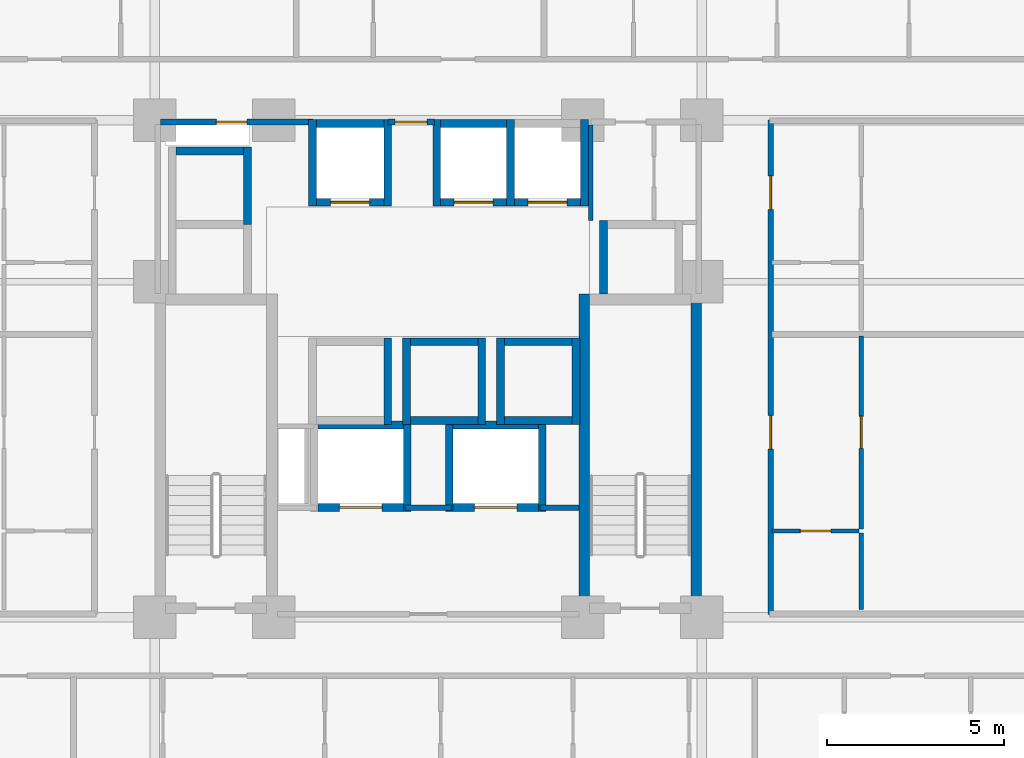
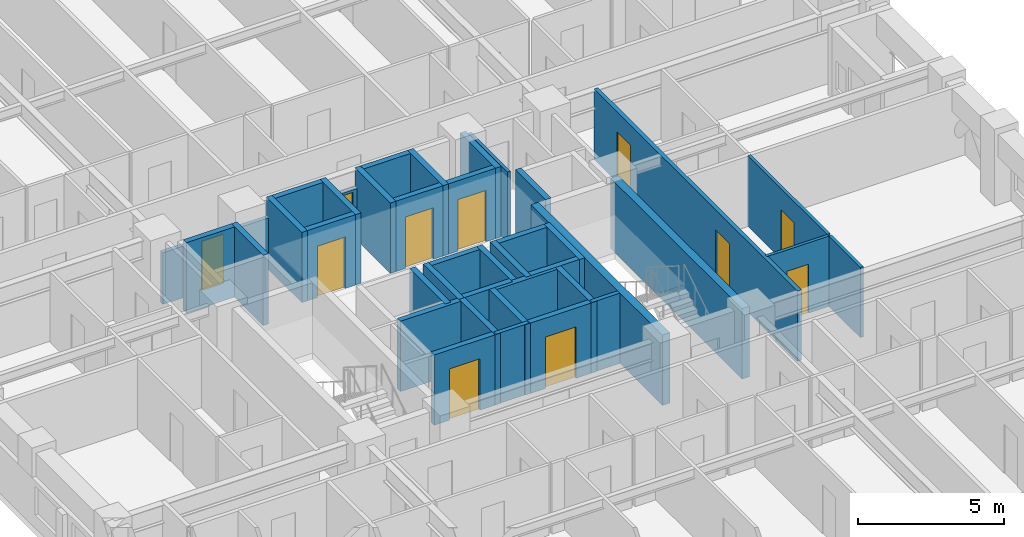
# One storey, part 5 of 13: 40 walls, 11 doors, 11 openings.
"""IFC4 building model written with IfcOpenShell, lengths in metres."""

from ifc_helpers import new_model, si_unit, derived_unit, direction, frame, frame_2d, origin, place, context, subcontext, project, spatial, rectangle, extrude, material, layer, layer_set, type_object, element, fill, save


model = new_model("IFC4")

# Units and contexts
model_context = context("Model", 3, precision=1e-05, world=origin(), true_north=direction((0.0, 1.0)))
body_context = subcontext(model_context, "Body", "Model", "MODEL_VIEW")
ifc_project = project(units=[si_unit("LENGTHUNIT", "METRE"), si_unit("AREAUNIT", "SQUARE_METRE"), si_unit("VOLUMEUNIT", "CUBIC_METRE"), si_unit("PLANEANGLEUNIT", "RADIAN"), si_unit("MASSUNIT", "GRAM", prefix="KILO"), derived_unit("THERMALTRANSMITTANCEUNIT", [(si_unit("MASSUNIT", "GRAM", prefix="KILO"), 1), (si_unit("TIMEUNIT", "SECOND"), -3), (si_unit("THERMODYNAMICTEMPERATUREUNIT", "KELVIN"), -1)])], contexts=[model_context])

# Site, building, storey
site_placement = place(None, origin())
site = spatial("IfcSite", under=ifc_project, at=site_placement, CompositionType="ELEMENT")
building_placement = place(site_placement, origin())
building = spatial("IfcBuilding", under=site, at=building_placement, Name="Korrvale Station Residences", CompositionType="ELEMENT")
storey_placement = place(building_placement, frame((0.0, 0.0, 35.39990234375)))
storey = spatial("IfcBuildingStorey", under=building, at=storey_placement, Name="L08", CompositionType="ELEMENT", Elevation=35.39990234375)

# Walls
ifc_material_1 = material(Name="Concrete C70/85", Category="concrete")
ifc_layer_1 = layer(ifc_material_1, 0.300048828125, Name="Concrete C70/85")
ifc_layer_set_1 = layer_set([ifc_layer_1], Name="Concrete C70/85")
wall_type_1 = type_object("IfcWallType", Name="WAL-CORE-300-C70", PredefinedType="SHEAR", material=ifc_layer_set_1)
for number, where, z_axis, x_axis, name in (
    (1, (29.89990234375, 15.10009765625, 0.0), (0.0, 0.0, 1.0), (0.0, 1.0, 0.0), "L08 ST-2 Core Shear Wall West"),
    (2, (33.050048828125, 15.10009765625, 0.0), (0.0, 0.0, 1.0), (0.0, 1.0, 0.0), "L08 ST-2 Core Shear Wall East"),
):
    element("IfcWall", number, at=place(storey_placement, frame(where, z_axis=z_axis, x_axis=x_axis)), inside=storey, type_object=wall_type_1, Name=name, PredefinedType="SHEAR", context=body_context, shape_type="SweptSolid", body=[
        extrude(rectangle(XDim=9.0, YDim=0.300048828125, at=frame_2d((4.5, 0.0))), origin(), (0.0, 0.0, 1.0), 2.940185546875),
    ])
ifc_material_2 = material(Name="Acoustic steel-stud gypsum board partition", Category="steel")
ifc_layer_2 = layer(ifc_material_2, 0.1201171875, Name="Acoustic steel-stud gypsum board partition")
ifc_layer_set_2 = layer_set([ifc_layer_2], Name="Acoustic steel-stud gypsum board partition")
wall_type_2 = type_object("IfcWallType", Name="WAL-PART-125", PredefinedType="PARTITIONING", material=ifc_layer_set_2)
wall_1_placement = place(storey_placement, frame((30.080078125, 26.179931640625, 0.0), z_axis=(0.0, 0.0, 1.0), x_axis=(0.0, 1.0, 0.0)))
element("IfcWall", 3, at=wall_1_placement, inside=storey, type_object=wall_type_2, Name="L08 Core Partition CW-CS-W", PredefinedType="PARTITIONING", context=body_context, shape_type="SweptSolid", body=[
    extrude(rectangle(XDim=2.68017578125, YDim=0.1201171875, at=frame_2d((1.340087890625, 0.0))), origin(), (0.0, 0.0, 1.0), 2.940185546875),
])

# Wall, opening, door
wall_2_placement = place(storey_placement, frame((35.18994140625, 17.428955078125, 0.0), z_axis=(0.0, 0.0, 1.0), x_axis=(1.0, 0.0, 0.0)))
wall_2 = element("IfcWall", 4, at=wall_2_placement, inside=storey, type_object=wall_type_2, Name="L08 Suite Partition U09-H01", PredefinedType="PARTITIONING", context=body_context, shape_type="SweptSolid", body=[
    extrude(rectangle(XDim=2.449951171875, YDim=0.1201171875, at=frame_2d((1.22509765625, 0.0))), origin(), (0.0, 0.0, 1.0), 2.940185546875),
])
opening_1_placement = place(wall_2_placement, frame((0.794921875, 0.0, 0.0)))
opening_1 = element("IfcOpeningElement", 5, at=opening_1_placement, cuts=wall_2, Name="Opening DB-860", PredefinedType="OPENING", context=body_context, shape_type="SweptSolid", body=[
    extrude(rectangle(XDim=0.860107421875, YDim=2.050048828125, at=frame_2d((0.43017578125, 1.02490234375))), frame((0.0, 0.070068359375, 0.0), z_axis=(0.0, -1.0, 0.0), x_axis=(1.0, 0.0, 0.0)), (0.0, 0.0, 1.0), 0.14013671875),
])
ifc_material_3 = material(Name="Moisture-resistant solid-core bathroom door", Category="timber")
door_type_1 = type_object("IfcDoorType", Name="DR-BATH-860", OperationType="NOTDEFINED", PredefinedType="DOOR", material=ifc_material_3)
door_1_placement = place(opening_1_placement, origin())
door_1 = element("IfcDoor", 6, at=door_1_placement, inside=storey, type_object=door_type_1, Name="L08 Apartment 1BR L08-U09 Bathroom Door", OperationType="SINGLE_SWING_RIGHT", OverallHeight=2.050048828125, OverallWidth=0.860107421875, PredefinedType="DOOR", context=body_context, shape_type="SweptSolid", body=[
    extrude(rectangle(XDim=0.860107421875, YDim=2.050048828125, at=frame_2d((0.43017578125, 1.02490234375))), frame((0.0, 0.02490234375, 0.0), z_axis=(0.0, -1.0, 0.0), x_axis=(1.0, 0.0, 0.0)), (0.0, 0.0, 1.0), 0.050048828125),
])
fill(opening_1, door_1)

# Wall
wall_3_placement = place(storey_placement, frame((37.699951171875, 15.2099609375, 0.0), z_axis=(0.0, 0.0, 1.0), x_axis=(0.0, 1.0, 0.0)))
element("IfcWall", 7, at=wall_3_placement, inside=storey, type_object=wall_type_2, Name="L08 Suite Partition U09-V02", PredefinedType="PARTITIONING", context=body_context, shape_type="SweptSolid", body=[
    extrude(rectangle(XDim=2.158935546875, YDim=0.1201171875, at=frame_2d((1.07958984375, 0.0))), origin(), (0.0, 0.0, 1.0), 2.940185546875),
])

# Wall, opening, door
wall_4_placement = place(storey_placement, frame((37.699951171875, 17.489013671875, 0.0), z_axis=(0.0, 0.0, 1.0), x_axis=(0.0, 1.0, 0.0)))
wall_4 = element("IfcWall", 8, at=wall_4_placement, inside=storey, type_object=wall_type_2, Name="L08 Suite Partition U09-V12", PredefinedType="PARTITIONING", context=body_context, shape_type="SweptSolid", body=[
    extrude(rectangle(XDim=5.43310546875, YDim=0.1201171875, at=frame_2d((2.716552734375, 0.0))), origin(), (0.0, 0.0, 1.0), 2.940185546875),
])
opening_2_placement = place(wall_4_placement, frame((2.26611328125, 0.0, 0.0)))
opening_2 = element("IfcOpeningElement", 9, at=opening_2_placement, cuts=wall_4, Name="Opening DI-900", PredefinedType="OPENING", context=body_context, shape_type="SweptSolid", body=[
    extrude(rectangle(XDim=0.89990234375, YDim=2.050048828125, at=frame_2d((0.449951171875, 1.02490234375))), frame((0.0, 0.070068359375, 0.0), z_axis=(0.0, -1.0, 0.0), x_axis=(1.0, 0.0, 0.0)), (0.0, 0.0, 1.0), 0.14013671875),
])
ifc_material_4 = material(Name="Painted solid-core timber interior room door", Category="wood")
door_type_2 = type_object("IfcDoorType", Name="DR-INT-900", OperationType="NOTDEFINED", PredefinedType="DOOR", material=ifc_material_4)
door_2_placement = place(opening_2_placement, origin())
door_2 = element("IfcDoor", 10, at=door_2_placement, inside=storey, type_object=door_type_2, Name="L08 Apartment 1BR L08-U09 Kitchen Door", OperationType="SINGLE_SWING_LEFT", OverallHeight=2.050048828125, OverallWidth=0.89990234375, PredefinedType="DOOR", context=body_context, shape_type="SweptSolid", body=[
    extrude(rectangle(XDim=0.89990234375, YDim=2.050048828125, at=frame_2d((0.449951171875, 1.02490234375))), frame((0.0, 0.02490234375, 0.0), z_axis=(0.0, -1.0, 0.0), x_axis=(1.0, 0.0, 0.0)), (0.0, 0.0, 1.0), 0.050048828125),
])
fill(opening_2, door_2)

# Walls
ifc_material_5 = material(Name="Fire-rated twin-stud gypsum and mineral wool shaftwall assembly", Category="gypsum")
ifc_layer_3 = layer(ifc_material_5, 0.159912109375, Name="Fire-rated twin-stud gypsum and mineral wool shaftwall assembly")
ifc_layer_set_3 = layer_set([ifc_layer_3], Name="Fire-rated twin-stud gypsum and mineral wool shaftwall assembly")
wall_type_3 = type_object("IfcWallType", Name="WAL-PART-200", PredefinedType="PARTITIONING", material=ifc_layer_set_3)
wall_5_placement = place(storey_placement, frame((24.85009765625, 18.080078125, 0.0), z_axis=(0.0, 0.0, 1.0), x_axis=(1.0, 0.0, 0.0)))
element("IfcWall", 11, at=wall_5_placement, inside=storey, type_object=wall_type_3, Name="L08 Core Partition CW-FFL-N2", PredefinedType="PARTITIONING", context=body_context, shape_type="SweptSolid", body=[
    extrude(rectangle(XDim=1.2998046875, YDim=0.159912109375, at=frame_2d((0.64990234375, 0.0))), origin(), (0.0, 0.0, 1.0), 2.940185546875),
])
wall_6_placement = place(storey_placement, frame((28.64990234375, 18.080078125, 0.0), z_axis=(0.0, 0.0, 1.0), x_axis=(1.0, 0.0, 0.0)))
element("IfcWall", 12, at=wall_6_placement, inside=storey, type_object=wall_type_3, Name="L08 Core Partition CW-FFL-N3", PredefinedType="PARTITIONING", context=body_context, shape_type="SweptSolid", body=[
    extrude(rectangle(XDim=1.10009765625, YDim=0.159912109375, at=frame_2d((0.550048828125, 0.0))), origin(), (0.0, 0.0, 1.0), 2.940185546875),
])

# Wall, opening, door
wall_7_placement = place(storey_placement, frame((24.360107421875, 28.949951171875, 0.0), z_axis=(0.0, 0.0, 1.0), x_axis=(1.0, 0.0, 0.0)))
wall_7 = element("IfcWall", 13, at=wall_7_placement, inside=storey, type_object=wall_type_3, Name="L08 Core Partition CW-LLOB-N", PredefinedType="PARTITIONING", context=body_context, shape_type="SweptSolid", body=[
    extrude(rectangle(XDim=1.31982421875, YDim=0.159912109375, at=frame_2d((0.659912109375, 0.0))), origin(), (0.0, 0.0, 1.0), 2.155029296875),
])
opening_3_placement = place(wall_7_placement, frame((0.2099609375, 0.0, 0.0)))
opening_3 = element("IfcOpeningElement", 14, at=opening_3_placement, cuts=wall_7, Name="Opening DI-900", PredefinedType="OPENING", context=body_context, shape_type="SweptSolid", body=[
    extrude(rectangle(XDim=0.89990234375, YDim=2.050048828125, at=frame_2d((0.449951171875, 1.02490234375))), frame((0.0, 0.08984375, 0.0), z_axis=(0.0, -1.0, 0.0), x_axis=(1.0, 0.0, 0.0)), (0.0, 0.0, 1.0), 0.179931640625),
])
door_3_placement = place(opening_3_placement, origin())
door_3 = element("IfcDoor", 15, at=door_3_placement, inside=storey, type_object=door_type_2, Name="L08 Central Hallway North Passage Door", OperationType="SINGLE_SWING_RIGHT", OverallHeight=2.050048828125, OverallWidth=0.89990234375, PredefinedType="DOOR", context=body_context, shape_type="SweptSolid", body=[
    extrude(rectangle(XDim=0.89990234375, YDim=2.050048828125, at=frame_2d((0.449951171875, 1.02490234375))), frame((0.0, 0.02490234375, 0.0), z_axis=(0.0, -1.0, 0.0), x_axis=(1.0, 0.0, 0.0)), (0.0, 0.0, 1.0), 0.050048828125),
])
fill(opening_3, door_3)

wall_8_placement = place(storey_placement, frame((17.9599609375, 28.949951171875, 0.0), z_axis=(0.0, 0.0, 1.0), x_axis=(1.0, 0.0, 0.0)))
wall_8 = element("IfcWall", 16, at=wall_8_placement, inside=storey, type_object=wall_type_3, Name="L08 Core Partition CW-NW", PredefinedType="PARTITIONING", context=body_context, shape_type="SweptSolid", body=[
    extrude(rectangle(XDim=4.2900390625, YDim=0.159912109375, at=frame_2d((2.14501953125, 0.0))), origin(), (0.0, 0.0, 1.0), 2.155029296875),
])
opening_4_placement = place(wall_8_placement, frame((1.570068359375, 0.0, 0.0)))
opening_4 = element("IfcOpeningElement", 17, at=opening_4_placement, cuts=wall_8, Name="Opening DB-860", PredefinedType="OPENING", context=body_context, shape_type="SweptSolid", body=[
    extrude(rectangle(XDim=0.860107421875, YDim=2.050048828125, at=frame_2d((0.43017578125, 1.02490234375))), frame((0.0, 0.08984375, 0.0), z_axis=(0.0, -1.0, 0.0), x_axis=(1.0, 0.0, 0.0)), (0.0, 0.0, 1.0), 0.179931640625),
])
door_4_placement = place(opening_4_placement, origin())
door_4 = element("IfcDoor", 18, at=door_4_placement, inside=storey, type_object=door_type_1, Name="L08 Electrical Riser Access Door", OperationType="SINGLE_SWING_LEFT", OverallHeight=2.050048828125, OverallWidth=0.860107421875, PredefinedType="DOOR", context=body_context, shape_type="SweptSolid", body=[
    extrude(rectangle(XDim=0.860107421875, YDim=2.050048828125, at=frame_2d((0.43017578125, 1.02490234375))), frame((0.0, 0.02490234375, 0.0), z_axis=(0.0, -1.0, 0.0), x_axis=(1.0, 0.0, 0.0)), (0.0, 0.0, 1.0), 0.050048828125),
])
fill(opening_4, door_4)

# Wall, openings, doors
wall_9_placement = place(storey_placement, frame((35.14990234375, 15.070068359375, 0.0), z_axis=(0.0, 0.0, 1.0), x_axis=(0.0, 1.0, 0.0)))
wall_9 = element("IfcWall", 19, at=wall_9_placement, inside=storey, type_object=wall_type_3, Name="L08 Rated Corridor Wall E", PredefinedType="PARTITIONING", context=body_context, shape_type="SweptSolid", body=[
    extrude(rectangle(XDim=13.929931640625, YDim=0.159912109375, at=frame_2d((6.96484375, 0.0))), origin(), (0.0, 0.0, 1.0), 2.940185546875),
])
opening_5_placement = place(wall_9_placement, frame((4.660888671875, 0.0, 0.0)))
opening_5 = element("IfcOpeningElement", 20, at=opening_5_placement, cuts=wall_9, Name="Opening UD-950", PredefinedType="OPENING", context=body_context, shape_type="SweptSolid", body=[
    extrude(rectangle(XDim=0.949951171875, YDim=2.10009765625, at=frame_2d((0.47509765625, 1.050048828125))), frame((0.0, 0.08984375, 0.0), z_axis=(0.0, -1.0, 0.0), x_axis=(1.0, 0.0, 0.0)), (0.0, 0.0, 1.0), 0.179931640625),
])
opening_6_placement = place(wall_9_placement, frame((11.410888671875, 0.0, 0.0)))
opening_6 = element("IfcOpeningElement", 21, at=opening_6_placement, cuts=wall_9, Name="Opening UD-950", PredefinedType="OPENING", context=body_context, shape_type="SweptSolid", body=[
    extrude(rectangle(XDim=0.949951171875, YDim=2.10009765625, at=frame_2d((0.47509765625, 1.050048828125))), frame((0.0, 0.08984375, 0.0), z_axis=(0.0, -1.0, 0.0), x_axis=(1.0, 0.0, 0.0)), (0.0, 0.0, 1.0), 0.179931640625),
])
ifc_material_6 = material(Name="Solid-core acoustic oak apartment entrance door", Category="timber")
door_type_3 = type_object("IfcDoorType", Name="DR-UNIT-950", OperationType="NOTDEFINED", PredefinedType="DOOR", material=ifc_material_6)
door_5_placement = place(opening_5_placement, origin())
door_5 = element("IfcDoor", 22, at=door_5_placement, inside=storey, type_object=door_type_3, Name="L08 Apartment L08-U09 Entrance Door", OperationType="SINGLE_SWING_RIGHT", OverallHeight=2.10009765625, OverallWidth=0.949951171875, PredefinedType="DOOR", context=body_context, shape_type="SweptSolid", body=[
    extrude(rectangle(XDim=0.949951171875, YDim=2.10009765625, at=frame_2d((0.47509765625, 1.050048828125))), frame((0.0, 0.02490234375, 0.0), z_axis=(0.0, -1.0, 0.0), x_axis=(1.0, 0.0, 0.0)), (0.0, 0.0, 1.0), 0.050048828125),
])
fill(opening_5, door_5)
door_6_placement = place(opening_6_placement, origin())
door_6 = element("IfcDoor", 23, at=door_6_placement, inside=storey, type_object=door_type_3, Name="L08 Apartment L08-U10 Entrance Door", OperationType="SINGLE_SWING_LEFT", OverallHeight=2.10009765625, OverallWidth=0.949951171875, PredefinedType="DOOR", context=body_context, shape_type="SweptSolid", body=[
    extrude(rectangle(XDim=0.949951171875, YDim=2.10009765625, at=frame_2d((0.47509765625, 1.050048828125))), frame((0.0, 0.02490234375, 0.0), z_axis=(0.0, -1.0, 0.0), x_axis=(1.0, 0.0, 0.0)), (0.0, 0.0, 1.0), 0.050048828125),
])
fill(opening_6, door_6)

# Wall, opening, door
ifc_layer_4 = layer(ifc_material_1, 0.219970703125, Name="Concrete C70/85")
ifc_layer_set_4 = layer_set([ifc_layer_4], Name="Concrete C70/85")
wall_type_4 = type_object("IfcWallType", Name="WAL-SHAFT-220-C70", PredefinedType="SHEAR", material=ifc_layer_set_4)
wall_10_placement = place(storey_placement, frame((22.35009765625, 26.68994140625, 0.0), z_axis=(0.0, 0.0, 1.0), x_axis=(1.0, 0.0, 0.0)))
wall_10 = element("IfcWall", 24, at=wall_10_placement, inside=storey, type_object=wall_type_4, Name="L08 Elevator PL-1 Hoistway Wall South", PredefinedType="SHEAR", context=body_context, shape_type="SweptSolid", body=[
    extrude(rectangle(XDim=1.89990234375, YDim=0.219970703125, at=frame_2d((0.949951171875, 0.0))), origin(), (0.0, 0.0, 1.0), 2.940185546875),
])
opening_7_placement = place(wall_10_placement, frame((0.39990234375, 0.0, 0.0)))
opening_7 = element("IfcOpeningElement", 25, at=opening_7_placement, cuts=wall_10, Name="Opening LD-1100", PredefinedType="OPENING", context=body_context, shape_type="SweptSolid", body=[
    extrude(rectangle(XDim=1.10009765625, YDim=2.14990234375, at=frame_2d((0.550048828125, 1.074951171875))), frame((0.0, 0.1201171875, 0.0), z_axis=(0.0, -1.0, 0.0), x_axis=(1.0, 0.0, 0.0)), (0.0, 0.0, 1.0), 0.239990234375),
])
ifc_material_7 = material(Name="Brushed stainless-steel elevator landing sliding door", Category="steel")
door_type_4 = type_object("IfcDoorType", Name="DR-LIFT-1100", OperationType="SLIDING_TO_LEFT", PredefinedType="DOOR", material=ifc_material_7)
door_7_placement = place(opening_7_placement, origin())
door_7 = element("IfcDoor", 26, at=door_7_placement, inside=storey, type_object=door_type_4, Name="L08 Elevator PL-1 Sliding Landing Door", OperationType="SLIDING_TO_LEFT", OverallHeight=2.14990234375, OverallWidth=1.10009765625, PredefinedType="DOOR", context=body_context, shape_type="SweptSolid", body=[
    extrude(rectangle(XDim=1.10009765625, YDim=2.14990234375, at=frame_2d((0.550048828125, 1.074951171875))), frame((0.0, 0.02490234375, 0.0), z_axis=(0.0, -1.0, 0.0), x_axis=(1.0, 0.0, 0.0)), (0.0, 0.0, 1.0), 0.050048828125),
])
fill(opening_7, door_7)

# Walls
wall_11_placement = place(storey_placement, frame((22.35009765625, 28.909912109375, 0.0), z_axis=(0.0, 0.0, 1.0), x_axis=(1.0, 0.0, 0.0)))
element("IfcWall", 27, at=wall_11_placement, inside=storey, type_object=wall_type_4, Name="L08 Elevator PL-1 Hoistway Wall North", PredefinedType="SHEAR", context=body_context, shape_type="SweptSolid", body=[
    extrude(rectangle(XDim=1.89990234375, YDim=0.219970703125, at=frame_2d((0.949951171875, 0.0))), origin(), (0.0, 0.0, 1.0), 2.940185546875),
])
for number, where, z_axis, x_axis, name in (
    (28, (22.239990234375, 26.580078125, 0.0), (0.0, 0.0, 1.0), (0.0, 1.0, 0.0), "L08 Elevator PL-1 Hoistway Wall West"),
    (29, (24.360107421875, 26.580078125, 0.0), (0.0, 0.0, 1.0), (0.0, 1.0, 0.0), "L08 Elevator PL-1 Hoistway Wall East"),
):
    element("IfcWall", number, at=place(storey_placement, frame(where, z_axis=z_axis, x_axis=x_axis)), inside=storey, type_object=wall_type_4, Name=name, PredefinedType="SHEAR", context=body_context, shape_type="SweptSolid", body=[
        extrude(rectangle(XDim=2.43994140625, YDim=0.219970703125, at=frame_2d((1.219970703125, 0.0))), origin(), (0.0, 0.0, 1.0), 2.940185546875),
    ])

# Wall, opening, door
wall_12_placement = place(storey_placement, frame((25.85009765625, 26.68994140625, 0.0), z_axis=(0.0, 0.0, 1.0), x_axis=(1.0, 0.0, 0.0)))
wall_12 = element("IfcWall", 30, at=wall_12_placement, inside=storey, type_object=wall_type_4, Name="L08 Elevator PL-2 Hoistway Wall South", PredefinedType="SHEAR", context=body_context, shape_type="SweptSolid", body=[
    extrude(rectangle(XDim=1.85986328125, YDim=0.219970703125, at=frame_2d((0.929931640625, 0.0))), origin(), (0.0, 0.0, 1.0), 2.940185546875),
])
opening_8_placement = place(wall_12_placement, frame((0.3798828125, 0.0, 0.0)))
opening_8 = element("IfcOpeningElement", 31, at=opening_8_placement, cuts=wall_12, Name="Opening LD-1100", PredefinedType="OPENING", context=body_context, shape_type="SweptSolid", body=[
    extrude(rectangle(XDim=1.10009765625, YDim=2.14990234375, at=frame_2d((0.550048828125, 1.074951171875))), frame((0.0, 0.1201171875, 0.0), z_axis=(0.0, -1.0, 0.0), x_axis=(1.0, 0.0, 0.0)), (0.0, 0.0, 1.0), 0.239990234375),
])
door_8_placement = place(opening_8_placement, origin())
door_8 = element("IfcDoor", 32, at=door_8_placement, inside=storey, type_object=door_type_4, Name="L08 Elevator PL-2 Sliding Landing Door", OperationType="SLIDING_TO_LEFT", OverallHeight=2.14990234375, OverallWidth=1.10009765625, PredefinedType="DOOR", context=body_context, shape_type="SweptSolid", body=[
    extrude(rectangle(XDim=1.10009765625, YDim=2.14990234375, at=frame_2d((0.550048828125, 1.074951171875))), frame((0.0, 0.02490234375, 0.0), z_axis=(0.0, -1.0, 0.0), x_axis=(1.0, 0.0, 0.0)), (0.0, 0.0, 1.0), 0.050048828125),
])
fill(opening_8, door_8)

# Walls
wall_13_placement = place(storey_placement, frame((25.85009765625, 28.909912109375, 0.0), z_axis=(0.0, 0.0, 1.0), x_axis=(1.0, 0.0, 0.0)))
element("IfcWall", 33, at=wall_13_placement, inside=storey, type_object=wall_type_4, Name="L08 Elevator PL-2 Hoistway Wall North", PredefinedType="SHEAR", context=body_context, shape_type="SweptSolid", body=[
    extrude(rectangle(XDim=1.85986328125, YDim=0.219970703125, at=frame_2d((0.929931640625, 0.0))), origin(), (0.0, 0.0, 1.0), 2.940185546875),
])
for number, where, z_axis, x_axis, name in (
    (34, (25.739990234375, 26.580078125, 0.0), (0.0, 0.0, 1.0), (0.0, 1.0, 0.0), "L08 Elevator PL-2 Hoistway Wall West"),
    (35, (27.820068359375, 26.580078125, 0.0), (0.0, 0.0, 1.0), (0.0, 1.0, 0.0), "L08 Elevator PL-2 Hoistway Wall East"),
):
    element("IfcWall", number, at=place(storey_placement, frame(where, z_axis=z_axis, x_axis=x_axis)), inside=storey, type_object=wall_type_4, Name=name, PredefinedType="SHEAR", context=body_context, shape_type="SweptSolid", body=[
        extrude(rectangle(XDim=2.43994140625, YDim=0.219970703125, at=frame_2d((1.219970703125, 0.0))), origin(), (0.0, 0.0, 1.0), 2.940185546875),
    ])

# Wall, opening, door
wall_14_placement = place(storey_placement, frame((27.929931640625, 26.68994140625, 0.0), z_axis=(0.0, 0.0, 1.0), x_axis=(1.0, 0.0, 0.0)))
wall_14 = element("IfcWall", 36, at=wall_14_placement, inside=storey, type_object=wall_type_4, Name="L08 Elevator PL-3 Hoistway Wall South", PredefinedType="SHEAR", context=body_context, shape_type="SweptSolid", body=[
    extrude(rectangle(XDim=1.860107421875, YDim=0.219970703125, at=frame_2d((0.93017578125, 0.0))), origin(), (0.0, 0.0, 1.0), 2.940185546875),
])
opening_9_placement = place(wall_14_placement, frame((0.3798828125, 0.0, 0.0)))
opening_9 = element("IfcOpeningElement", 37, at=opening_9_placement, cuts=wall_14, Name="Opening LD-1100", PredefinedType="OPENING", context=body_context, shape_type="SweptSolid", body=[
    extrude(rectangle(XDim=1.10009765625, YDim=2.14990234375, at=frame_2d((0.550048828125, 1.074951171875))), frame((0.0, 0.1201171875, 0.0), z_axis=(0.0, -1.0, 0.0), x_axis=(1.0, 0.0, 0.0)), (0.0, 0.0, 1.0), 0.239990234375),
])
door_9_placement = place(opening_9_placement, origin())
door_9 = element("IfcDoor", 38, at=door_9_placement, inside=storey, type_object=door_type_4, Name="L08 Elevator PL-3 Sliding Landing Door", OperationType="SLIDING_TO_LEFT", OverallHeight=2.14990234375, OverallWidth=1.10009765625, PredefinedType="DOOR", context=body_context, shape_type="SweptSolid", body=[
    extrude(rectangle(XDim=1.10009765625, YDim=2.14990234375, at=frame_2d((0.550048828125, 1.074951171875))), frame((0.0, 0.02490234375, 0.0), z_axis=(0.0, -1.0, 0.0), x_axis=(1.0, 0.0, 0.0)), (0.0, 0.0, 1.0), 0.050048828125),
])
fill(opening_9, door_9)

# Walls
wall_15_placement = place(storey_placement, frame((29.89990234375, 26.580078125, 0.0), z_axis=(0.0, 0.0, 1.0), x_axis=(0.0, 1.0, 0.0)))
element("IfcWall", 39, at=wall_15_placement, inside=storey, type_object=wall_type_4, Name="L08 Elevator PL-3 Hoistway Wall East", PredefinedType="SHEAR", context=body_context, shape_type="SweptSolid", body=[
    extrude(rectangle(XDim=2.43994140625, YDim=0.219970703125, at=frame_2d((1.219970703125, 0.0))), origin(), (0.0, 0.0, 1.0), 2.940185546875),
])
wall_16_placement = place(storey_placement, frame((24.360107421875, 20.429931640625, 0.0), z_axis=(0.0, 0.0, 1.0), x_axis=(0.0, 1.0, 0.0)))
element("IfcWall", 40, at=wall_16_placement, inside=storey, type_object=wall_type_4, Name="L08 Elevator PM-1 Hoistway Wall East", PredefinedType="SHEAR", context=body_context, shape_type="SweptSolid", body=[
    extrude(rectangle(XDim=2.440185546875, YDim=0.219970703125, at=frame_2d((1.22021484375, 0.0))), origin(), (0.0, 0.0, 1.0), 2.940185546875),
])
for number, where, z_axis, x_axis, name in (
    (41, (25.0, 20.5400390625, 0.0), (0.0, 0.0, 1.0), (1.0, 0.0, 0.0), "L08 Elevator PM-2 Hoistway Wall South"),
    (42, (25.0, 22.760009765625, 0.0), (0.0, 0.0, 1.0), (1.0, 0.0, 0.0), "L08 Elevator PM-2 Hoistway Wall North"),
):
    element("IfcWall", number, at=place(storey_placement, frame(where, z_axis=z_axis, x_axis=x_axis)), inside=storey, type_object=wall_type_4, Name=name, PredefinedType="SHEAR", context=body_context, shape_type="SweptSolid", body=[
        extrude(rectangle(XDim=1.89990234375, YDim=0.219970703125, at=frame_2d((0.949951171875, 0.0))), origin(), (0.0, 0.0, 1.0), 2.940185546875),
    ])
for number, where, z_axis, x_axis, name in (
    (43, (24.889892578125, 20.429931640625, 0.0), (0.0, 0.0, 1.0), (0.0, 1.0, 0.0), "L08 Elevator PM-2 Hoistway Wall West"),
    (44, (27.010009765625, 20.429931640625, 0.0), (0.0, 0.0, 1.0), (0.0, 1.0, 0.0), "L08 Elevator PM-2 Hoistway Wall East"),
):
    element("IfcWall", number, at=place(storey_placement, frame(where, z_axis=z_axis, x_axis=x_axis)), inside=storey, type_object=wall_type_4, Name=name, PredefinedType="SHEAR", context=body_context, shape_type="SweptSolid", body=[
        extrude(rectangle(XDim=2.440185546875, YDim=0.219970703125, at=frame_2d((1.22021484375, 0.0))), origin(), (0.0, 0.0, 1.0), 2.940185546875),
    ])
for number, where, z_axis, x_axis, name in (
    (45, (27.64990234375, 20.5400390625, 0.0), (0.0, 0.0, 1.0), (1.0, 0.0, 0.0), "L08 Elevator PM-3 Hoistway Wall South"),
    (46, (27.64990234375, 22.760009765625, 0.0), (0.0, 0.0, 1.0), (1.0, 0.0, 0.0), "L08 Elevator PM-3 Hoistway Wall North"),
):
    element("IfcWall", number, at=place(storey_placement, frame(where, z_axis=z_axis, x_axis=x_axis)), inside=storey, type_object=wall_type_4, Name=name, PredefinedType="SHEAR", context=body_context, shape_type="SweptSolid", body=[
        extrude(rectangle(XDim=1.900146484375, YDim=0.219970703125, at=frame_2d((0.9501953125, 0.0))), origin(), (0.0, 0.0, 1.0), 2.940185546875),
    ])
for number, where, z_axis, x_axis, name in (
    (47, (27.5400390625, 20.429931640625, 0.0), (0.0, 0.0, 1.0), (0.0, 1.0, 0.0), "L08 Elevator PM-3 Hoistway Wall West"),
    (48, (29.659912109375, 20.429931640625, 0.0), (0.0, 0.0, 1.0), (0.0, 1.0, 0.0), "L08 Elevator PM-3 Hoistway Wall East"),
):
    element("IfcWall", number, at=place(storey_placement, frame(where, z_axis=z_axis, x_axis=x_axis)), inside=storey, type_object=wall_type_4, Name=name, PredefinedType="SHEAR", context=body_context, shape_type="SweptSolid", body=[
        extrude(rectangle(XDim=2.440185546875, YDim=0.219970703125, at=frame_2d((1.22021484375, 0.0))), origin(), (0.0, 0.0, 1.0), 2.940185546875),
    ])
wall_17_placement = place(storey_placement, frame((18.39990234375, 28.1298828125, 0.0), z_axis=(0.0, 0.0, 1.0), x_axis=(1.0, 0.0, 0.0)))
element("IfcWall", 49, at=wall_17_placement, inside=storey, type_object=wall_type_4, Name="L08 Elevator PH-2 Hoistway Wall North", PredefinedType="SHEAR", context=body_context, shape_type="SweptSolid", body=[
    extrude(rectangle(XDim=1.900146484375, YDim=0.219970703125, at=frame_2d((0.9501953125, 0.0))), origin(), (0.0, 0.0, 1.0), 2.940185546875),
])
wall_18_placement = place(storey_placement, frame((20.409912109375, 26.06005859375, 0.0), z_axis=(0.0, 0.0, 1.0), x_axis=(0.0, 1.0, 0.0)))
element("IfcWall", 50, at=wall_18_placement, inside=storey, type_object=wall_type_4, Name="L08 Elevator PH-2 Hoistway Wall East", PredefinedType="SHEAR", context=body_context, shape_type="SweptSolid", body=[
    extrude(rectangle(XDim=2.179931640625, YDim=0.219970703125, at=frame_2d((1.08984375, 0.0))), origin(), (0.0, 0.0, 1.0), 2.940185546875),
])
wall_19_placement = place(storey_placement, frame((30.43994140625, 24.10009765625, 0.0), z_axis=(0.0, 0.0, 1.0), x_axis=(0.0, 1.0, 0.0)))
element("IfcWall", 51, at=wall_19_placement, inside=storey, type_object=wall_type_4, Name="L08 Elevator PH-3 Hoistway Wall West", PredefinedType="SHEAR", context=body_context, shape_type="SweptSolid", body=[
    extrude(rectangle(XDim=2.06982421875, YDim=0.219970703125, at=frame_2d((1.034912109375, 0.0))), origin(), (0.0, 0.0, 1.0), 2.940185546875),
])

# Wall, opening, door
wall_20_placement = place(storey_placement, frame((22.39990234375, 18.090087890625, 0.0), z_axis=(0.0, 0.0, 1.0), x_axis=(1.0, 0.0, 0.0)))
wall_20 = element("IfcWall", 52, at=wall_20_placement, inside=storey, type_object=wall_type_4, Name="L08 Elevator FFL-1 Hoistway Wall South", PredefinedType="SHEAR", context=body_context, shape_type="SweptSolid", body=[
    extrude(rectangle(XDim=2.400146484375, YDim=0.219970703125, at=frame_2d((1.2001953125, 0.0))), origin(), (0.0, 0.0, 1.0), 2.940185546875),
])
opening_10_placement = place(wall_20_placement, frame((0.60009765625, 0.0, 0.0)))
opening_10 = element("IfcOpeningElement", 53, at=opening_10_placement, cuts=wall_20, Name="Opening LD-FF1200", PredefinedType="OPENING", context=body_context, shape_type="SweptSolid", body=[
    extrude(rectangle(XDim=1.199951171875, YDim=2.14990234375, at=frame_2d((0.60009765625, 1.074951171875))), frame((0.0, 0.1201171875, 0.0), z_axis=(0.0, -1.0, 0.0), x_axis=(1.0, 0.0, 0.0)), (0.0, 0.0, 1.0), 0.239990234375),
])
ifc_material_8 = material(Name="Stainless-steel firefighter elevator landing sliding door", Category="steel")
door_type_5 = type_object("IfcDoorType", Name="DR-LIFT-FF1200", OperationType="SLIDING_TO_LEFT", PredefinedType="DOOR", material=ifc_material_8)
door_10_placement = place(opening_10_placement, origin())
door_10 = element("IfcDoor", 54, at=door_10_placement, inside=storey, type_object=door_type_5, Name="L08 Elevator FFL-1 Sliding Landing Door", OperationType="SLIDING_TO_LEFT", OverallHeight=2.14990234375, OverallWidth=1.199951171875, PredefinedType="DOOR", context=body_context, shape_type="SweptSolid", body=[
    extrude(rectangle(XDim=1.199951171875, YDim=2.14990234375, at=frame_2d((0.60009765625, 1.074951171875))), frame((0.0, 0.02490234375, 0.0), z_axis=(0.0, -1.0, 0.0), x_axis=(1.0, 0.0, 0.0)), (0.0, 0.0, 1.0), 0.050048828125),
])
fill(opening_10, door_10)

# Walls
wall_21_placement = place(storey_placement, frame((22.39990234375, 20.409912109375, 0.0), z_axis=(0.0, 0.0, 1.0), x_axis=(1.0, 0.0, 0.0)))
element("IfcWall", 55, at=wall_21_placement, inside=storey, type_object=wall_type_4, Name="L08 Elevator FFL-1 Hoistway Wall North", PredefinedType="SHEAR", context=body_context, shape_type="SweptSolid", body=[
    extrude(rectangle(XDim=2.400146484375, YDim=0.219970703125, at=frame_2d((1.2001953125, 0.0))), origin(), (0.0, 0.0, 1.0), 2.940185546875),
])
wall_22_placement = place(storey_placement, frame((24.909912109375, 17.97998046875, 0.0), z_axis=(0.0, 0.0, 1.0), x_axis=(0.0, 1.0, 0.0)))
element("IfcWall", 56, at=wall_22_placement, inside=storey, type_object=wall_type_4, Name="L08 Elevator FFL-1 Hoistway Wall East", PredefinedType="SHEAR", context=body_context, shape_type="SweptSolid", body=[
    extrude(rectangle(XDim=2.5400390625, YDim=0.219970703125, at=frame_2d((1.27001953125, 0.0))), origin(), (0.0, 0.0, 1.0), 2.940185546875),
])

# Wall, opening, door
wall_23_placement = place(storey_placement, frame((26.199951171875, 18.090087890625, 0.0), z_axis=(0.0, 0.0, 1.0), x_axis=(1.0, 0.0, 0.0)))
wall_23 = element("IfcWall", 57, at=wall_23_placement, inside=storey, type_object=wall_type_4, Name="L08 Elevator FFL-2 Hoistway Wall South", PredefinedType="SHEAR", context=body_context, shape_type="SweptSolid", body=[
    extrude(rectangle(XDim=2.400146484375, YDim=0.219970703125, at=frame_2d((1.2001953125, 0.0))), origin(), (0.0, 0.0, 1.0), 2.940185546875),
])
opening_11_placement = place(wall_23_placement, frame((0.60009765625, 0.0, 0.0)))
opening_11 = element("IfcOpeningElement", 58, at=opening_11_placement, cuts=wall_23, Name="Opening LD-FF1200", PredefinedType="OPENING", context=body_context, shape_type="SweptSolid", body=[
    extrude(rectangle(XDim=1.199951171875, YDim=2.14990234375, at=frame_2d((0.60009765625, 1.074951171875))), frame((0.0, 0.1201171875, 0.0), z_axis=(0.0, -1.0, 0.0), x_axis=(1.0, 0.0, 0.0)), (0.0, 0.0, 1.0), 0.239990234375),
])
door_11_placement = place(opening_11_placement, origin())
door_11 = element("IfcDoor", 59, at=door_11_placement, inside=storey, type_object=door_type_5, Name="L08 Elevator FFL-2 Sliding Landing Door", OperationType="SLIDING_TO_LEFT", OverallHeight=2.14990234375, OverallWidth=1.199951171875, PredefinedType="DOOR", context=body_context, shape_type="SweptSolid", body=[
    extrude(rectangle(XDim=1.199951171875, YDim=2.14990234375, at=frame_2d((0.60009765625, 1.074951171875))), frame((0.0, 0.02490234375, 0.0), z_axis=(0.0, -1.0, 0.0), x_axis=(1.0, 0.0, 0.0)), (0.0, 0.0, 1.0), 0.050048828125),
])
fill(opening_11, door_11)

# Walls
wall_24_placement = place(storey_placement, frame((26.199951171875, 20.409912109375, 0.0), z_axis=(0.0, 0.0, 1.0), x_axis=(1.0, 0.0, 0.0)))
element("IfcWall", 60, at=wall_24_placement, inside=storey, type_object=wall_type_4, Name="L08 Elevator FFL-2 Hoistway Wall North", PredefinedType="SHEAR", context=body_context, shape_type="SweptSolid", body=[
    extrude(rectangle(XDim=2.400146484375, YDim=0.219970703125, at=frame_2d((1.2001953125, 0.0))), origin(), (0.0, 0.0, 1.0), 2.940185546875),
])
for number, where, z_axis, x_axis, name in (
    (61, (26.090087890625, 17.97998046875, 0.0), (0.0, 0.0, 1.0), (0.0, 1.0, 0.0), "L08 Elevator FFL-2 Hoistway Wall West"),
    (62, (28.7099609375, 17.97998046875, 0.0), (0.0, 0.0, 1.0), (0.0, 1.0, 0.0), "L08 Elevator FFL-2 Hoistway Wall East"),
):
    element("IfcWall", number, at=place(storey_placement, frame(where, z_axis=z_axis, x_axis=x_axis)), inside=storey, type_object=wall_type_4, Name=name, PredefinedType="SHEAR", context=body_context, shape_type="SweptSolid", body=[
        extrude(rectangle(XDim=2.5400390625, YDim=0.219970703125, at=frame_2d((1.27001953125, 0.0))), origin(), (0.0, 0.0, 1.0), 2.940185546875),
    ])

save(model, "model.ifc")
